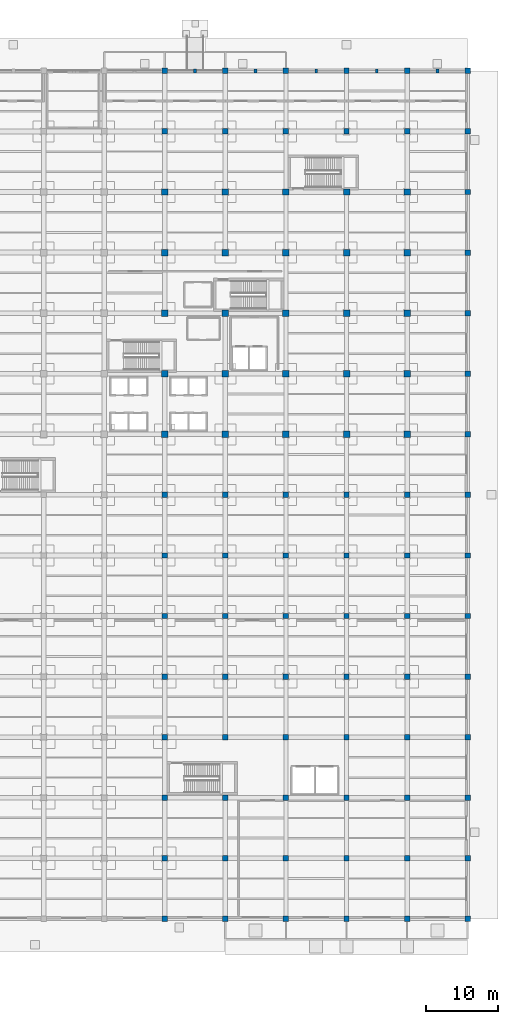
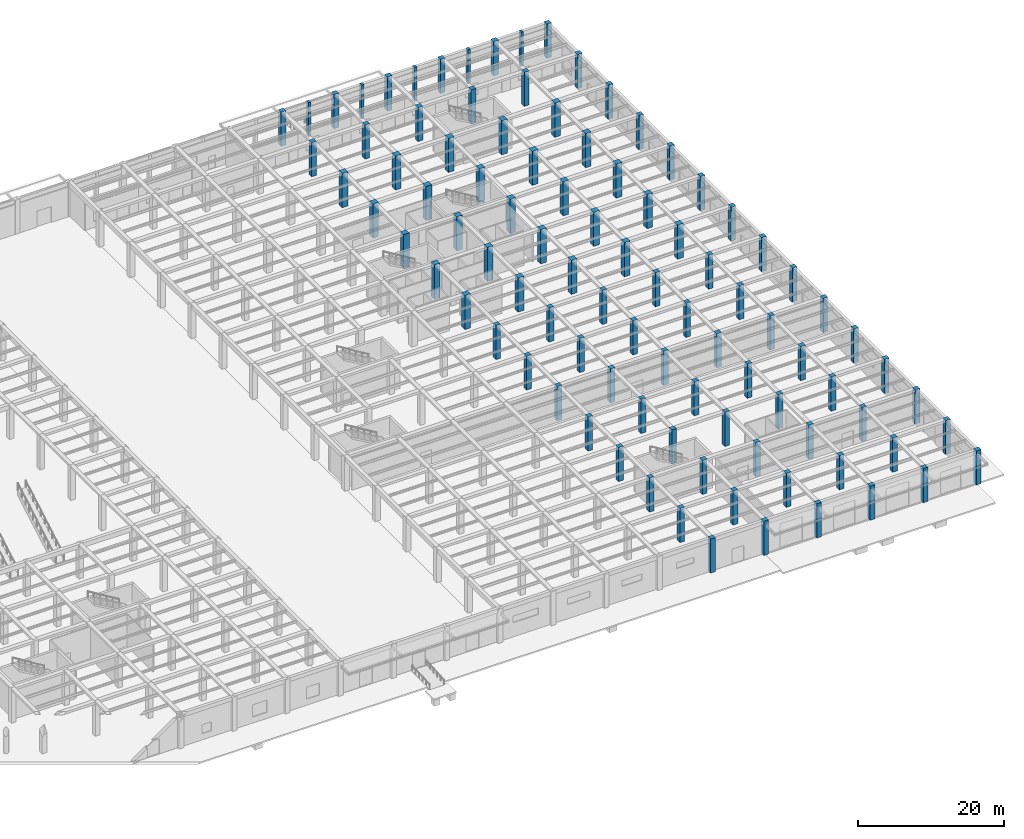
# One storey, part 3 of 43: 95 columns.
"""IFC4 building model written with IfcOpenShell, lengths in metres."""

from ifc_helpers import new_model, si_unit, direction, frame, origin, origin_2d, place, context, subcontext, project, spatial, rectangle, extrude, material, material_profile, profile_set, type_object, element, save


model = new_model("IFC4")

# Units and contexts
model_context = context("Model", 3, precision=1e-05, world=origin(), true_north=direction((0.0, 1.0)))
body_context = subcontext(model_context, "Body", "Model", "MODEL_VIEW")
ifc_project = project(units=[si_unit("LENGTHUNIT", "METRE"), si_unit("AREAUNIT", "SQUARE_METRE"), si_unit("VOLUMEUNIT", "CUBIC_METRE"), si_unit("PLANEANGLEUNIT", "RADIAN"), si_unit("MASSUNIT", "GRAM", prefix="KILO")], contexts=[model_context])

# Site, building, storey
site_placement = place(None, origin())
site = spatial("IfcSite", under=ifc_project, at=site_placement, CompositionType="ELEMENT")
building_placement = place(site_placement, origin())
building = spatial("IfcBuilding", under=site, at=building_placement, Name="Almacenes y Pasaje Nevantli", CompositionType="ELEMENT")
storey_placement = place(building_placement, origin())
storey = spatial("IfcBuildingStorey", under=building, at=storey_placement, Name="L01", CompositionType="ELEMENT", Elevation=0.0)

# Columns
ifc_material_1 = material(Name="Concrete C45/55", Category="concrete")
ifc_material_profile_1 = material_profile(ifc_material_1, rectangle(XDim=0.75, YDim=0.75, at=origin_2d()), Name="RC-COL-750x750")
ifc_profile_set_1 = profile_set([ifc_material_profile_1], Name="Concrete C45/55")
column_type_1 = type_object("IfcColumnType", Name="COL-RC-750", PredefinedType="COLUMN", material=ifc_profile_set_1)
for number, where, z_axis, x_axis, name in (
    (1, (126.0, 0.0, 0.0), (0.0, 0.0, 1.0), (1.0, 0.0, 0.0), "L01 Reinforced Concrete Column CL-05 #866"),
    (2, (126.0, 8.39990234375, 0.0), (0.0, 0.0, 1.0), (1.0, 0.0, 0.0), "L01 Reinforced Concrete Column CL-05 #867"),
    (3, (126.0, 16.800048828125, 0.0), (0.0, 0.0, 1.0), (1.0, 0.0, 0.0), "L01 Reinforced Concrete Column CL-05 #868"),
    (4, (126.0, 25.199951171875, 0.0), (0.0, 0.0, 1.0), (1.0, 0.0, 0.0), "L01 Reinforced Concrete Column CL-05 #869"),
    (5, (126.0, 33.60009765625, 0.0), (0.0, 0.0, 1.0), (1.0, 0.0, 0.0), "L01 Reinforced Concrete Column CL-05 #870"),
    (6, (126.0, 42.0, 0.0), (0.0, 0.0, 1.0), (1.0, 0.0, 0.0), "L01 Reinforced Concrete Column CL-05 #871"),
    (7, (126.0, 50.39990234375, 0.0), (0.0, 0.0, 1.0), (1.0, 0.0, 0.0), "L01 Reinforced Concrete Column CL-05 #872"),
    (8, (126.0, 58.800048828125, 0.0), (0.0, 0.0, 1.0), (1.0, 0.0, 0.0), "L01 Reinforced Concrete Column CL-05 #873"),
    (9, (126.0, 109.199951171875, 0.0), (0.0, 0.0, 1.0), (1.0, 0.0, 0.0), "L01 Reinforced Concrete Column CL-05 #879"),
    (10, (126.0, 117.60009765625, 0.0), (0.0, 0.0, 1.0), (1.0, 0.0, 0.0), "L01 Reinforced Concrete Column CL-05 #880"),
    (11, (134.39990234375, 0.0, 0.0), (0.0, 0.0, 1.0), (1.0, 0.0, 0.0), "L01 Reinforced Concrete Column CL-05 #881"),
    (12, (134.39990234375, 8.39990234375, 0.0), (0.0, 0.0, 1.0), (1.0, 0.0, 0.0), "L01 Reinforced Concrete Column CL-05 #882"),
    (13, (134.39990234375, 16.800048828125, 0.0), (0.0, 0.0, 1.0), (1.0, 0.0, 0.0), "L01 Reinforced Concrete Column CL-05 #883"),
    (14, (134.39990234375, 25.199951171875, 0.0), (0.0, 0.0, 1.0), (1.0, 0.0, 0.0), "L01 Reinforced Concrete Column CL-05 #884"),
    (15, (134.39990234375, 33.60009765625, 0.0), (0.0, 0.0, 1.0), (1.0, 0.0, 0.0), "L01 Reinforced Concrete Column CL-05 #885"),
    (16, (134.39990234375, 42.0, 0.0), (0.0, 0.0, 1.0), (1.0, 0.0, 0.0), "L01 Reinforced Concrete Column CL-05 #886"),
    (17, (134.39990234375, 50.39990234375, 0.0), (0.0, 0.0, 1.0), (1.0, 0.0, 0.0), "L01 Reinforced Concrete Column CL-05 #887"),
    (18, (134.39990234375, 58.800048828125, 0.0), (0.0, 0.0, 1.0), (1.0, 0.0, 0.0), "L01 Reinforced Concrete Column CL-05 #888"),
    (19, (134.39990234375, 109.199951171875, 0.0), (0.0, 0.0, 1.0), (1.0, 0.0, 0.0), "L01 Reinforced Concrete Column CL-05 #894"),
    (20, (134.39990234375, 117.60009765625, 0.0), (0.0, 0.0, 1.0), (1.0, 0.0, 0.0), "L01 Reinforced Concrete Column CL-05 #895"),
    (21, (142.800048828125, 0.0, 0.0), (0.0, 0.0, 1.0), (1.0, 0.0, 0.0), "L01 Reinforced Concrete Column CL-05 #896"),
    (22, (142.800048828125, 8.39990234375, 0.0), (0.0, 0.0, 1.0), (1.0, 0.0, 0.0), "L01 Reinforced Concrete Column CL-05 #897"),
    (23, (142.800048828125, 16.800048828125, 0.0), (0.0, 0.0, 1.0), (1.0, 0.0, 0.0), "L01 Reinforced Concrete Column CL-05 #898"),
    (24, (142.800048828125, 25.199951171875, 0.0), (0.0, 0.0, 1.0), (1.0, 0.0, 0.0), "L01 Reinforced Concrete Column CL-05 #899"),
    (25, (142.800048828125, 33.60009765625, 0.0), (0.0, 0.0, 1.0), (1.0, 0.0, 0.0), "L01 Reinforced Concrete Column CL-05 #900"),
    (26, (142.800048828125, 42.0, 0.0), (0.0, 0.0, 1.0), (1.0, 0.0, 0.0), "L01 Reinforced Concrete Column CL-05 #901"),
    (27, (142.800048828125, 50.39990234375, 0.0), (0.0, 0.0, 1.0), (1.0, 0.0, 0.0), "L01 Reinforced Concrete Column CL-05 #902"),
    (28, (142.800048828125, 58.800048828125, 0.0), (0.0, 0.0, 1.0), (1.0, 0.0, 0.0), "L01 Reinforced Concrete Column CL-05 #903"),
    (29, (142.800048828125, 109.199951171875, 0.0), (0.0, 0.0, 1.0), (1.0, 0.0, 0.0), "L01 Reinforced Concrete Column CL-05 #909"),
    (30, (142.800048828125, 117.60009765625, 0.0), (0.0, 0.0, 1.0), (1.0, 0.0, 0.0), "L01 Reinforced Concrete Column CL-05 #910"),
    (31, (151.199951171875, 0.0, 0.0), (0.0, 0.0, 1.0), (1.0, 0.0, 0.0), "L01 Reinforced Concrete Column CL-05 #911"),
    (32, (151.199951171875, 8.39990234375, 0.0), (0.0, 0.0, 1.0), (1.0, 0.0, 0.0), "L01 Reinforced Concrete Column CL-05 #912"),
    (33, (151.199951171875, 16.800048828125, 0.0), (0.0, 0.0, 1.0), (1.0, 0.0, 0.0), "L01 Reinforced Concrete Column CL-05 #913"),
    (34, (151.199951171875, 25.199951171875, 0.0), (0.0, 0.0, 1.0), (1.0, 0.0, 0.0), "L01 Reinforced Concrete Column CL-05 #914"),
    (35, (151.199951171875, 33.60009765625, 0.0), (0.0, 0.0, 1.0), (1.0, 0.0, 0.0), "L01 Reinforced Concrete Column CL-05 #915"),
    (36, (151.199951171875, 42.0, 0.0), (0.0, 0.0, 1.0), (1.0, 0.0, 0.0), "L01 Reinforced Concrete Column CL-05 #916"),
    (37, (151.199951171875, 50.39990234375, 0.0), (0.0, 0.0, 1.0), (1.0, 0.0, 0.0), "L01 Reinforced Concrete Column CL-05 #917"),
    (38, (151.199951171875, 58.800048828125, 0.0), (0.0, 0.0, 1.0), (1.0, 0.0, 0.0), "L01 Reinforced Concrete Column CL-05 #918"),
    (39, (151.199951171875, 109.199951171875, 0.0), (0.0, 0.0, 1.0), (1.0, 0.0, 0.0), "L01 Reinforced Concrete Column CL-05 #924"),
    (40, (151.199951171875, 117.60009765625, 0.0), (0.0, 0.0, 1.0), (1.0, 0.0, 0.0), "L01 Reinforced Concrete Column CL-05 #925"),
    (41, (159.60009765625, 0.0, 0.0), (0.0, 0.0, 1.0), (1.0, 0.0, 0.0), "L01 Reinforced Concrete Column CL-05 #926"),
    (42, (159.60009765625, 8.39990234375, 0.0), (0.0, 0.0, 1.0), (1.0, 0.0, 0.0), "L01 Reinforced Concrete Column CL-05 #927"),
    (43, (159.60009765625, 16.800048828125, 0.0), (0.0, 0.0, 1.0), (1.0, 0.0, 0.0), "L01 Reinforced Concrete Column CL-05 #928"),
    (44, (159.60009765625, 25.199951171875, 0.0), (0.0, 0.0, 1.0), (1.0, 0.0, 0.0), "L01 Reinforced Concrete Column CL-05 #929"),
    (45, (159.60009765625, 33.60009765625, 0.0), (0.0, 0.0, 1.0), (1.0, 0.0, 0.0), "L01 Reinforced Concrete Column CL-05 #930"),
    (46, (159.60009765625, 42.0, 0.0), (0.0, 0.0, 1.0), (1.0, 0.0, 0.0), "L01 Reinforced Concrete Column CL-05 #931"),
    (47, (159.60009765625, 50.39990234375, 0.0), (0.0, 0.0, 1.0), (1.0, 0.0, 0.0), "L01 Reinforced Concrete Column CL-05 #932"),
    (48, (159.60009765625, 58.800048828125, 0.0), (0.0, 0.0, 1.0), (1.0, 0.0, 0.0), "L01 Reinforced Concrete Column CL-05 #933"),
    (49, (159.60009765625, 109.199951171875, 0.0), (0.0, 0.0, 1.0), (1.0, 0.0, 0.0), "L01 Reinforced Concrete Column CL-05 #939"),
    (50, (159.60009765625, 117.60009765625, 0.0), (0.0, 0.0, 1.0), (1.0, 0.0, 0.0), "L01 Reinforced Concrete Column CL-05 #940"),
    (51, (168.0, 0.0, 0.0), (0.0, 0.0, 1.0), (1.0, 0.0, 0.0), "L01 Reinforced Concrete Column CL-05 #941"),
    (52, (168.0, 8.39990234375, 0.0), (0.0, 0.0, 1.0), (1.0, 0.0, 0.0), "L01 Reinforced Concrete Column CL-05 #942"),
    (53, (168.0, 16.800048828125, 0.0), (0.0, 0.0, 1.0), (1.0, 0.0, 0.0), "L01 Reinforced Concrete Column CL-05 #943"),
    (54, (168.0, 25.199951171875, 0.0), (0.0, 0.0, 1.0), (1.0, 0.0, 0.0), "L01 Reinforced Concrete Column CL-05 #944"),
    (55, (168.0, 33.60009765625, 0.0), (0.0, 0.0, 1.0), (1.0, 0.0, 0.0), "L01 Reinforced Concrete Column CL-05 #945"),
    (56, (168.0, 42.0, 0.0), (0.0, 0.0, 1.0), (1.0, 0.0, 0.0), "L01 Reinforced Concrete Column CL-05 #946"),
    (57, (168.0, 50.39990234375, 0.0), (0.0, 0.0, 1.0), (1.0, 0.0, 0.0), "L01 Reinforced Concrete Column CL-05 #947"),
    (58, (168.0, 58.800048828125, 0.0), (0.0, 0.0, 1.0), (1.0, 0.0, 0.0), "L01 Reinforced Concrete Column CL-05 #948"),
    (59, (168.0, 67.199951171875, 0.0), (0.0, 0.0, 1.0), (1.0, 0.0, 0.0), "L01 Reinforced Concrete Column CL-05 #949"),
    (60, (168.0, 75.60009765625, 0.0), (0.0, 0.0, 1.0), (1.0, 0.0, 0.0), "L01 Reinforced Concrete Column CL-05 #950"),
    (61, (168.0, 84.0, 0.0), (0.0, 0.0, 1.0), (1.0, 0.0, 0.0), "L01 Reinforced Concrete Column CL-05 #951"),
    (62, (168.0, 92.39990234375, 0.0), (0.0, 0.0, 1.0), (1.0, 0.0, 0.0), "L01 Reinforced Concrete Column CL-05 #952"),
    (63, (168.0, 100.800048828125, 0.0), (0.0, 0.0, 1.0), (1.0, 0.0, 0.0), "L01 Reinforced Concrete Column CL-05 #953"),
    (64, (168.0, 109.199951171875, 0.0), (0.0, 0.0, 1.0), (1.0, 0.0, 0.0), "L01 Reinforced Concrete Column CL-05 #954"),
    (65, (168.0, 117.60009765625, 0.0), (0.0, 0.0, 1.0), (1.0, 0.0, 0.0), "L01 Reinforced Concrete Column CL-05 #955"),
):
    element("IfcColumn", number, at=place(storey_placement, frame(where, z_axis=z_axis, x_axis=x_axis)), inside=storey, type_object=column_type_1, Name=name, PredefinedType="COLUMN", context=body_context, shape_type="SweptSolid", body=[
        extrude(rectangle(XDim=0.75, YDim=0.75, at=origin_2d()), origin(), (0.0, 0.0, 1.0), 5.699951171875),
    ])
ifc_material_2 = material(Name="Concrete C45/55", Category="concrete")
ifc_material_profile_2 = material_profile(ifc_material_2, rectangle(XDim=0.89990234375, YDim=0.89990234375, at=origin_2d()), Name="RC-COL-900x900")
ifc_profile_set_2 = profile_set([ifc_material_profile_2], Name="Concrete C45/55")
column_type_2 = type_object("IfcColumnType", Name="COL-RC-900", PredefinedType="COLUMN", material=ifc_profile_set_2)
for number, where, z_axis, x_axis, name in (
    (66, (126.0, 67.199951171875, 0.0), (0.0, 0.0, 1.0), (1.0, 0.0, 0.0), "L01 Reinforced Concrete Column CL-02 #874"),
    (67, (126.0, 75.60009765625, 0.0), (0.0, 0.0, 1.0), (1.0, 0.0, 0.0), "L01 Reinforced Concrete Column CL-02 #875"),
    (68, (126.0, 84.0, 0.0), (0.0, 0.0, 1.0), (1.0, 0.0, 0.0), "L01 Reinforced Concrete Column CL-02 #876"),
    (69, (126.0, 92.39990234375, 0.0), (0.0, 0.0, 1.0), (1.0, 0.0, 0.0), "L01 Reinforced Concrete Column CL-02 #877"),
    (70, (126.0, 100.800048828125, 0.0), (0.0, 0.0, 1.0), (1.0, 0.0, 0.0), "L01 Reinforced Concrete Column CL-02 #878"),
    (71, (134.39990234375, 67.199951171875, 0.0), (0.0, 0.0, 1.0), (1.0, 0.0, 0.0), "L01 Reinforced Concrete Column CL-02 #889"),
    (72, (134.39990234375, 75.60009765625, 0.0), (0.0, 0.0, 1.0), (1.0, 0.0, 0.0), "L01 Reinforced Concrete Column CL-02 #890"),
    (73, (134.39990234375, 84.0, 0.0), (0.0, 0.0, 1.0), (1.0, 0.0, 0.0), "L01 Reinforced Concrete Column CL-02 #891"),
    (74, (134.39990234375, 92.39990234375, 0.0), (0.0, 0.0, 1.0), (1.0, 0.0, 0.0), "L01 Reinforced Concrete Column CL-02 #892"),
    (75, (134.39990234375, 100.800048828125, 0.0), (0.0, 0.0, 1.0), (1.0, 0.0, 0.0), "L01 Reinforced Concrete Column CL-02 #893"),
    (76, (142.800048828125, 67.199951171875, 0.0), (0.0, 0.0, 1.0), (1.0, 0.0, 0.0), "L01 Reinforced Concrete Column CL-02 #904"),
    (77, (142.800048828125, 75.60009765625, 0.0), (0.0, 0.0, 1.0), (1.0, 0.0, 0.0), "L01 Reinforced Concrete Column CL-02 #905"),
    (78, (142.800048828125, 84.0, 0.0), (0.0, 0.0, 1.0), (1.0, 0.0, 0.0), "L01 Reinforced Concrete Column CL-02 #906"),
    (79, (142.800048828125, 92.39990234375, 0.0), (0.0, 0.0, 1.0), (1.0, 0.0, 0.0), "L01 Reinforced Concrete Column CL-02 #907"),
    (80, (142.800048828125, 100.800048828125, 0.0), (0.0, 0.0, 1.0), (1.0, 0.0, 0.0), "L01 Reinforced Concrete Column CL-02 #908"),
    (81, (151.199951171875, 67.199951171875, 0.0), (0.0, 0.0, 1.0), (1.0, 0.0, 0.0), "L01 Reinforced Concrete Column CL-02 #919"),
    (82, (151.199951171875, 75.60009765625, 0.0), (0.0, 0.0, 1.0), (1.0, 0.0, 0.0), "L01 Reinforced Concrete Column CL-02 #920"),
    (83, (151.199951171875, 84.0, 0.0), (0.0, 0.0, 1.0), (1.0, 0.0, 0.0), "L01 Reinforced Concrete Column CL-02 #921"),
    (84, (151.199951171875, 92.39990234375, 0.0), (0.0, 0.0, 1.0), (1.0, 0.0, 0.0), "L01 Reinforced Concrete Column CL-02 #922"),
    (85, (151.199951171875, 100.800048828125, 0.0), (0.0, 0.0, 1.0), (1.0, 0.0, 0.0), "L01 Reinforced Concrete Column CL-02 #923"),
    (86, (159.60009765625, 67.199951171875, 0.0), (0.0, 0.0, 1.0), (1.0, 0.0, 0.0), "L01 Reinforced Concrete Column CL-02 #934"),
    (87, (159.60009765625, 75.60009765625, 0.0), (0.0, 0.0, 1.0), (1.0, 0.0, 0.0), "L01 Reinforced Concrete Column CL-02 #935"),
    (88, (159.60009765625, 84.0, 0.0), (0.0, 0.0, 1.0), (1.0, 0.0, 0.0), "L01 Reinforced Concrete Column CL-02 #936"),
    (89, (159.60009765625, 92.39990234375, 0.0), (0.0, 0.0, 1.0), (1.0, 0.0, 0.0), "L01 Reinforced Concrete Column CL-02 #937"),
    (90, (159.60009765625, 100.800048828125, 0.0), (0.0, 0.0, 1.0), (1.0, 0.0, 0.0), "L01 Reinforced Concrete Column CL-02 #938"),
):
    element("IfcColumn", number, at=place(storey_placement, frame(where, z_axis=z_axis, x_axis=x_axis)), inside=storey, type_object=column_type_2, Name=name, PredefinedType="COLUMN", context=body_context, shape_type="SweptSolid", body=[
        extrude(rectangle(XDim=0.89990234375, YDim=0.89990234375, at=origin_2d()), origin(), (0.0, 0.0, 1.0), 5.699951171875),
    ])
ifc_material_3 = material(Name="Concrete C45/55", Category="concrete")
ifc_material_profile_3 = material_profile(ifc_material_3, rectangle(XDim=0.39990234375, YDim=0.550048828125, at=origin_2d()), Name="RC-PIL-400x550")
ifc_profile_set_3 = profile_set([ifc_material_profile_3], Name="Concrete C45/55")
column_type_3 = type_object("IfcColumnType", Name="PIL-RC-400x550", PredefinedType="PILASTER", material=ifc_profile_set_3)
for number, where, z_axis, x_axis, name in (
    (91, (130.199951171875, 117.60009765625, 0.0), (0.0, 0.0, 1.0), (1.0, 0.0, 0.0), "L01 North Boulevard Portales Pilaster #16"),
    (92, (138.60009765625, 117.60009765625, 0.0), (0.0, 0.0, 1.0), (1.0, 0.0, 0.0), "L01 North Boulevard Portales Pilaster #17"),
    (93, (147.0, 117.60009765625, 0.0), (0.0, 0.0, 1.0), (1.0, 0.0, 0.0), "L01 North Boulevard Portales Pilaster #18"),
    (94, (155.39990234375, 117.60009765625, 0.0), (0.0, 0.0, 1.0), (1.0, 0.0, 0.0), "L01 North Boulevard Portales Pilaster #19"),
    (95, (163.800048828125, 117.60009765625, 0.0), (0.0, 0.0, 1.0), (1.0, 0.0, 0.0), "L01 North Boulevard Portales Pilaster #20"),
):
    element("IfcColumn", number, at=place(storey_placement, frame(where, z_axis=z_axis, x_axis=x_axis)), inside=storey, type_object=column_type_3, Name=name, PredefinedType="PILASTER", context=body_context, shape_type="SweptSolid", body=[
        extrude(rectangle(XDim=0.39990234375, YDim=0.550048828125, at=origin_2d()), origin(), (0.0, 0.0, 1.0), 5.699951171875),
    ])

save(model, "model.ifc")
